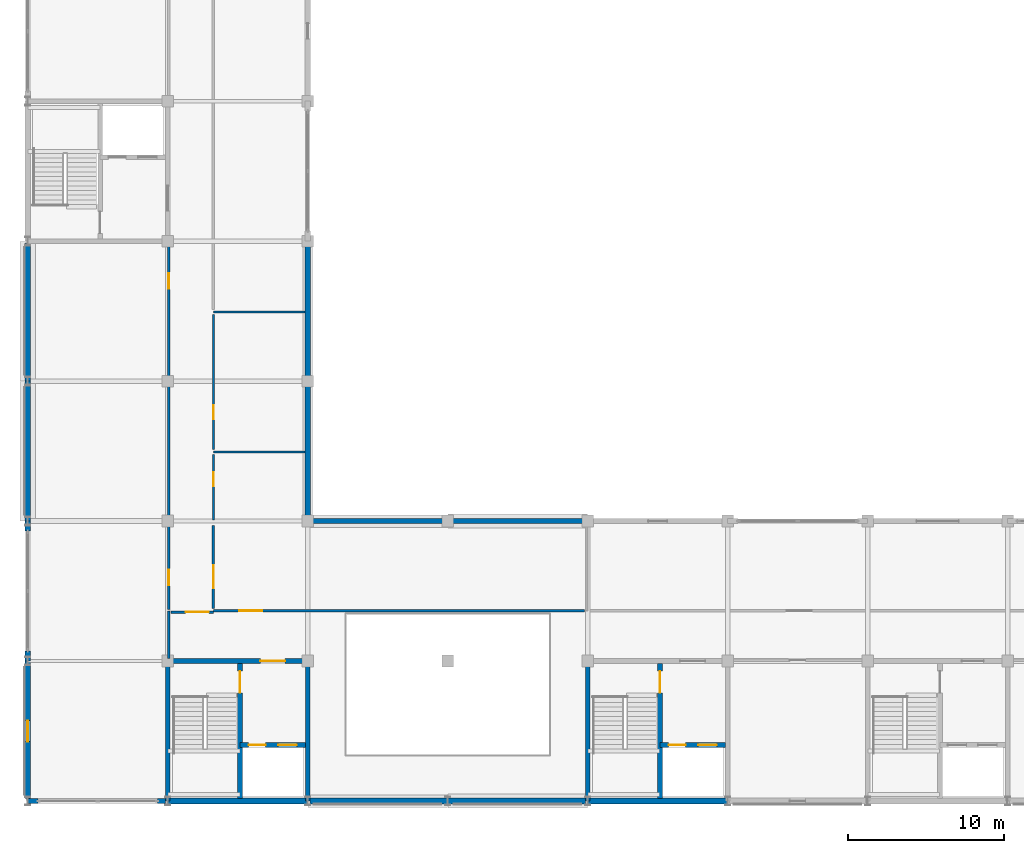
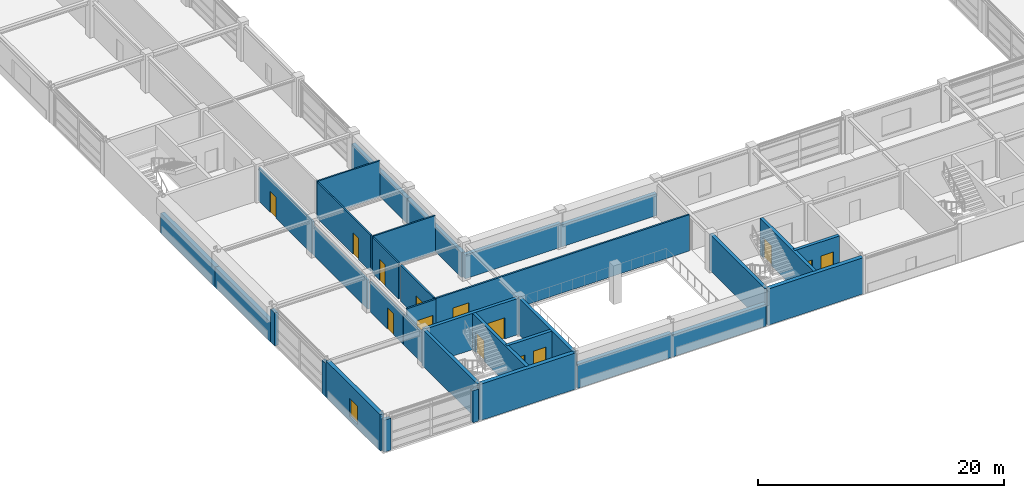
# One storey, part 62 of 79: 34 walls, 14 doors, 1 window, 15 openings.
"""IFC4 building model written with IfcOpenShell, lengths in metres."""

from ifc_helpers import new_model, si_unit, direction, frame, frame_2d, origin, place, context, subcontext, project, spatial, rectangle, extrude, material, layer, layer_set, type_object, element, fill, save


model = new_model("IFC4")

# Units and contexts
model_context = context("Model", 3, precision=1e-05, world=origin(), true_north=direction((0.0, 1.0)))
body_context = subcontext(model_context, "Body", "Model", "MODEL_VIEW")
ifc_project = project(units=[si_unit("LENGTHUNIT", "METRE"), si_unit("AREAUNIT", "SQUARE_METRE"), si_unit("VOLUMEUNIT", "CUBIC_METRE"), si_unit("PLANEANGLEUNIT", "RADIAN"), si_unit("MASSUNIT", "GRAM", prefix="KILO")], contexts=[model_context])

# Site, building, storey
site_placement = place(None, origin())
site = spatial("IfcSite", under=ifc_project, at=site_placement, CompositionType="ELEMENT")
building_placement = place(site_placement, origin())
building = spatial("IfcBuilding", under=site, at=building_placement, Name="Palais des Congres Ocreval", CompositionType="ELEMENT")
storey_placement = place(building_placement, frame((0.0, 0.0, 4.320068359375)))
storey = spatial("IfcBuildingStorey", under=building, at=storey_placement, Name="L01", CompositionType="ELEMENT", Elevation=4.320068359375)

# Walls
ifc_material_1 = material(Name="Moisture-resistant gypsum board")
ifc_layer_1 = layer(ifc_material_1, 0.139892578125)
ifc_layer_set_1 = layer_set([ifc_layer_1], Name="Bathroom Plumbing Chase Wall 140 Gypsum (Moisture-resistant gypsum board)")
wall_type_1 = type_object("IfcWallType", Name="Bathroom Plumbing Chase Wall 140 Gypsum", PredefinedType="PLUMBINGWALL", material=ifc_layer_set_1)
for number, where, z_axis, x_axis, name in (
    (1, (11.93994140625, 22.43505859375, 0.0), (0.0, 0.0, 1.0), (1.0, 0.0, 0.0), "Interior Partition PW03 L01"),
    (2, (11.93994140625, 31.43505859375, 0.0), (0.0, 0.0, 1.0), (1.0, 0.0, 0.0), "Interior Partition PW03 L01"),
):
    element("IfcWall", number, at=place(storey_placement, frame(where, z_axis=z_axis, x_axis=x_axis)), inside=storey, type_object=wall_type_1, Name=name, PredefinedType="PLUMBINGWALL", context=body_context, shape_type="SweptSolid", body=[
        extrude(rectangle(XDim=5.885009765625, YDim=0.139892578125, at=frame_2d((2.9423828125, 0.0))), origin(), (0.0, 0.0, 1.0), 3.599853515625),
    ])

# Wall, opening, door
wall_1_placement = place(storey_placement, frame((11.93505859375, 18.070068359375, 0.0), z_axis=(0.0, 0.0, 1.0), x_axis=(0.0, 1.0, 0.0)))
wall_1 = element("IfcWall", 3, at=wall_1_placement, inside=storey, type_object=wall_type_1, Name="Interior Partition PW03 L01", PredefinedType="PLUMBINGWALL", context=body_context, shape_type="SweptSolid", body=[
    extrude(rectangle(XDim=4.2099609375, YDim=0.139892578125, at=frame_2d((2.10498046875, 0.0))), origin(), (0.0, 0.0, 1.0), 3.599853515625),
])
opening_1_placement = place(wall_1_placement, frame((2.16015625, 0.0, 0.0)))
opening_1 = element("IfcOpeningElement", 4, at=opening_1_placement, cuts=wall_1, Name="Opening D09", PredefinedType="OPENING", context=body_context, shape_type="SweptSolid", body=[
    extrude(rectangle(XDim=0.89990234375, YDim=2.10009765625, at=frame_2d((0.449951171875, 1.050048828125))), frame((0.0, 0.079833984375, 0.0), z_axis=(0.0, -1.0, 0.0), x_axis=(1.0, 0.0, 0.0)), (0.0, 0.0, 1.0), 0.159912109375),
])
ifc_material_2 = material(Name="Solid French oak", Category="wood")
door_type_1 = type_object("IfcDoorType", Name="Accessible Restroom Door 900x2100", OperationType="NOTDEFINED", PredefinedType="DOOR", material=ifc_material_2)
door_1_placement = place(opening_1_placement, origin())
door_1 = element("IfcDoor", 5, at=door_1_placement, inside=storey, type_object=door_type_1, Name="Interior Door D09 L01", OperationType="SINGLE_SWING_RIGHT", OverallHeight=2.10009765625, OverallWidth=0.89990234375, PredefinedType="DOOR", context=body_context, shape_type="SweptSolid", body=[
    extrude(rectangle(XDim=0.89990234375, YDim=2.10009765625, at=frame_2d((0.449951171875, 1.050048828125))), frame((0.0, 0.02490234375, 0.0), z_axis=(0.0, -1.0, 0.0), x_axis=(1.0, 0.0, 0.0)), (0.0, 0.0, 1.0), 0.050048828125),
])
fill(opening_1, door_1)

wall_2_placement = place(storey_placement, frame((11.93505859375, 22.590087890625, 0.0), z_axis=(0.0, 0.0, 1.0), x_axis=(0.0, 1.0, 0.0)))
wall_2 = element("IfcWall", 6, at=wall_2_placement, inside=storey, type_object=wall_type_1, Name="Interior Partition PW03 L01", PredefinedType="PLUMBINGWALL", context=body_context, shape_type="SweptSolid", body=[
    extrude(rectangle(XDim=8.68994140625, YDim=0.139892578125, at=frame_2d((4.344970703125, 0.0))), origin(), (0.0, 0.0, 1.0), 3.599853515625),
])
opening_2_placement = place(wall_2_placement, frame((1.949951171875, 0.0, 0.0)))
opening_2 = element("IfcOpeningElement", 7, at=opening_2_placement, cuts=wall_2, Name="Opening D09", PredefinedType="OPENING", context=body_context, shape_type="SweptSolid", body=[
    extrude(rectangle(XDim=0.89990234375, YDim=2.10009765625, at=frame_2d((0.449951171875, 1.050048828125))), frame((0.0, 0.079833984375, 0.0), z_axis=(0.0, -1.0, 0.0), x_axis=(1.0, 0.0, 0.0)), (0.0, 0.0, 1.0), 0.159912109375),
])
door_2_placement = place(opening_2_placement, origin())
door_2 = element("IfcDoor", 8, at=door_2_placement, inside=storey, type_object=door_type_1, Name="Interior Door D09 L01", OperationType="SINGLE_SWING_LEFT", OverallHeight=2.10009765625, OverallWidth=0.89990234375, PredefinedType="DOOR", context=body_context, shape_type="SweptSolid", body=[
    extrude(rectangle(XDim=0.89990234375, YDim=2.10009765625, at=frame_2d((0.449951171875, 1.050048828125))), frame((0.0, 0.02490234375, 0.0), z_axis=(0.0, -1.0, 0.0), x_axis=(1.0, 0.0, 0.0)), (0.0, 0.0, 1.0), 0.050048828125),
])
fill(opening_2, door_2)

# Wall
ifc_material_3 = material(Name="Concrete C40/50", Category="concrete")
ifc_layer_2 = layer(ifc_material_3, 0.300048828125)
ifc_layer_set_2 = layer_set([ifc_layer_2], Name="Core Shear Wall 300 Concrete C40/50")
wall_type_2 = type_object("IfcWallType", Name="Core Shear Wall 300 Concrete C40/50", PredefinedType="SHEAR", material=ifc_layer_set_2)
wall_3_placement = place(storey_placement, frame((18.0, 0.0, 0.0), z_axis=(0.0, 0.0, 1.0), x_axis=(0.0, 1.0, 0.0)))
element("IfcWall", 9, at=wall_3_placement, inside=storey, type_object=wall_type_2, Name="Core Shear Wall SC01 L01 E", PredefinedType="SHEAR", context=body_context, shape_type="SweptSolid", body=[
    extrude(rectangle(XDim=9.0, YDim=0.300048828125, at=frame_2d((4.5, 0.0))), origin(), (0.0, 0.0, 1.0), 3.599853515625),
])

# Wall, opening, door
wall_4_placement = place(storey_placement, frame((9.0, 9.0, 0.0), z_axis=(0.0, 0.0, 1.0), x_axis=(1.0, 0.0, 0.0)))
wall_4 = element("IfcWall", 10, at=wall_4_placement, inside=storey, type_object=wall_type_2, Name="Core Shear Wall SC01 L01 N", PredefinedType="SHEAR", context=body_context, shape_type="SweptSolid", body=[
    extrude(rectangle(XDim=9.0, YDim=0.300048828125, at=frame_2d((4.5, 0.0))), origin(), (0.0, 0.0, 1.0), 3.599853515625),
])
opening_3_placement = place(wall_4_placement, frame((5.949951171875, 0.0, 0.0)))
opening_3 = element("IfcOpeningElement", 11, at=opening_3_placement, cuts=wall_4, Name="Opening D02", PredefinedType="OPENING", context=body_context, shape_type="SweptSolid", body=[
    extrude(rectangle(XDim=1.60009765625, YDim=2.10009765625, at=frame_2d((0.800048828125, 1.050048828125))), frame((0.0, 0.159912109375, 0.0), z_axis=(0.0, -1.0, 0.0), x_axis=(1.0, 0.0, 0.0)), (0.0, 0.0, 1.0), 0.320068359375),
])
ifc_material_4 = material(Name="Painted fire-rated steel", Category="steel")
door_type_2 = type_object("IfcDoorType", Name="Firefighting Lobby Rated Door 1600x2100", OperationType="NOTDEFINED", PredefinedType="DOOR", material=ifc_material_4)
door_3_placement = place(opening_3_placement, origin())
door_3 = element("IfcDoor", 12, at=door_3_placement, inside=storey, type_object=door_type_2, Name="Firefighting Lobby Entrance Door SC01 L01", OperationType="DOUBLE_DOOR_SINGLE_SWING", OverallHeight=2.10009765625, OverallWidth=1.60009765625, PredefinedType="DOOR", context=body_context, shape_type="SweptSolid", body=[
    extrude(rectangle(XDim=1.60009765625, YDim=2.10009765625, at=frame_2d((0.800048828125, 1.050048828125))), frame((0.0, 0.02490234375, 0.0), z_axis=(0.0, -1.0, 0.0), x_axis=(1.0, 0.0, 0.0)), (0.0, 0.0, 1.0), 0.050048828125),
])
fill(opening_3, door_3)

# Wall
wall_5_placement = place(storey_placement, frame((9.0, 0.0, 0.0), z_axis=(0.0, 0.0, 1.0), x_axis=(0.0, 1.0, 0.0)))
element("IfcWall", 13, at=wall_5_placement, inside=storey, type_object=wall_type_2, Name="Core Shear Wall SC01 L01 W", PredefinedType="SHEAR", context=body_context, shape_type="SweptSolid", body=[
    extrude(rectangle(XDim=9.0, YDim=0.300048828125, at=frame_2d((4.5, 0.0))), origin(), (0.0, 0.0, 1.0), 3.599853515625),
])

# Wall, opening, door
wall_6_placement = place(storey_placement, frame((13.64990234375, 0.14990234375, 0.0), z_axis=(0.0, 0.0, 1.0), x_axis=(0.0, 1.0, 0.0)))
wall_6 = element("IfcWall", 14, at=wall_6_placement, inside=storey, type_object=wall_type_2, Name="Core Spine Shear Wall SC01 L01", PredefinedType="SHEAR", context=body_context, shape_type="SweptSolid", body=[
    extrude(rectangle(XDim=8.7001953125, YDim=0.300048828125, at=frame_2d((4.35009765625, 0.0))), origin(), (0.0, 0.0, 1.0), 3.599853515625),
])
opening_4_placement = place(wall_6_placement, frame((6.800048828125, 0.0, 0.0)))
opening_4 = element("IfcOpeningElement", 15, at=opening_4_placement, cuts=wall_6, Name="Opening D03", PredefinedType="OPENING", context=body_context, shape_type="SweptSolid", body=[
    extrude(rectangle(XDim=1.39990234375, YDim=2.02001953125, at=frame_2d((0.699951171875, 1.010009765625))), frame((0.0, 0.159912109375, 0.0), z_axis=(0.0, -1.0, 0.0), x_axis=(1.0, 0.0, 0.0)), (0.0, 0.0, 1.0), 0.320068359375),
])
door_type_3 = type_object("IfcDoorType", Name="Core Lobby Rated Door 1400x2020", OperationType="NOTDEFINED", PredefinedType="DOOR", material=ifc_material_4)
door_4_placement = place(opening_4_placement, origin())
door_4 = element("IfcDoor", 16, at=door_4_placement, inside=storey, type_object=door_type_3, Name="Protected Exit Stair Door ST01 L01", OperationType="SINGLE_SWING_LEFT", OverallHeight=2.02001953125, OverallWidth=1.39990234375, PredefinedType="DOOR", context=body_context, shape_type="SweptSolid", body=[
    extrude(rectangle(XDim=1.39990234375, YDim=2.02001953125, at=frame_2d((0.699951171875, 1.010009765625))), frame((0.0, 0.02490234375, 0.0), z_axis=(0.0, -1.0, 0.0), x_axis=(1.0, 0.0, 0.0)), (0.0, 0.0, 1.0), 0.050048828125),
])
fill(opening_4, door_4)

# Wall, openings, doors
wall_7_placement = place(storey_placement, frame((13.64990234375, 3.60009765625, 0.0), z_axis=(0.0, 0.0, 1.0), x_axis=(1.0, 0.0, 0.0)))
wall_7 = element("IfcWall", 17, at=wall_7_placement, inside=storey, type_object=wall_type_2, Name="Lift Shaft Front Wall SC01 L01", PredefinedType="SHEAR", context=body_context, shape_type="SweptSolid", body=[
    extrude(rectangle(XDim=4.2001953125, YDim=0.300048828125, at=frame_2d((2.10009765625, 0.0))), origin(), (0.0, 0.0, 1.0), 3.599853515625),
])
opening_5_placement = place(wall_7_placement, frame((0.550048828125, 0.0, 0.0)))
opening_5 = element("IfcOpeningElement", 18, at=opening_5_placement, cuts=wall_7, Name="Opening LD01", PredefinedType="OPENING", context=body_context, shape_type="SweptSolid", body=[
    extrude(rectangle(XDim=1.10009765625, YDim=2.10009765625, at=frame_2d((0.550048828125, 1.050048828125))), frame((0.0, 0.159912109375, 0.0), z_axis=(0.0, -1.0, 0.0), x_axis=(1.0, 0.0, 0.0)), (0.0, 0.0, 1.0), 0.320068359375),
])
opening_6_placement = place(wall_7_placement, frame((2.449951171875, 0.0, 0.0)))
opening_6 = element("IfcOpeningElement", 19, at=opening_6_placement, cuts=wall_7, Name="Opening LD02", PredefinedType="OPENING", context=body_context, shape_type="SweptSolid", body=[
    extrude(rectangle(XDim=1.199951171875, YDim=2.199951171875, at=frame_2d((0.60009765625, 1.10009765625))), frame((0.0, 0.159912109375, 0.0), z_axis=(0.0, -1.0, 0.0), x_axis=(1.0, 0.0, 0.0)), (0.0, 0.0, 1.0), 0.320068359375),
])
ifc_material_5 = material(Name="Stainless steel", Category="steel")
door_type_4 = type_object("IfcDoorType", Name="Firefighting Lift Sliding Landing Door 1100x2100", OperationType="NOTDEFINED", PredefinedType="DOOR", material=ifc_material_5)
door_5_placement = place(opening_5_placement, origin())
door_5 = element("IfcDoor", 20, at=door_5_placement, inside=storey, type_object=door_type_4, Name="Lift Landing Sliding Door FF1 L01", OperationType="DOUBLE_DOOR_SLIDING", OverallHeight=2.10009765625, OverallWidth=1.10009765625, PredefinedType="DOOR", context=body_context, shape_type="SweptSolid", body=[
    extrude(rectangle(XDim=1.10009765625, YDim=2.10009765625, at=frame_2d((0.550048828125, 1.050048828125))), frame((0.0, 0.02490234375, 0.0), z_axis=(0.0, -1.0, 0.0), x_axis=(1.0, 0.0, 0.0)), (0.0, 0.0, 1.0), 0.050048828125),
])
fill(opening_5, door_5)
ifc_material_6 = material(Name="Anodized bronze steel", Category="steel")
door_type_5 = type_object("IfcDoorType", Name="Passenger and Service Lift Sliding Door 1200x2200", OperationType="NOTDEFINED", PredefinedType="DOOR", material=ifc_material_6)
door_6_placement = place(opening_6_placement, origin())
door_6 = element("IfcDoor", 21, at=door_6_placement, inside=storey, type_object=door_type_5, Name="Lift Landing Sliding Door PL1 L01", OperationType="DOUBLE_DOOR_SLIDING", OverallHeight=2.199951171875, OverallWidth=1.199951171875, PredefinedType="DOOR", context=body_context, shape_type="SweptSolid", body=[
    extrude(rectangle(XDim=1.199951171875, YDim=2.199951171875, at=frame_2d((0.60009765625, 1.10009765625))), frame((0.0, 0.02490234375, 0.0), z_axis=(0.0, -1.0, 0.0), x_axis=(1.0, 0.0, 0.0)), (0.0, 0.0, 1.0), 0.050048828125),
])
fill(opening_6, door_6)

# Wall
wall_8_placement = place(storey_placement, frame((36.0, 0.0, 0.0), z_axis=(0.0, 0.0, 1.0), x_axis=(0.0, 1.0, 0.0)))
element("IfcWall", 22, at=wall_8_placement, inside=storey, type_object=wall_type_2, Name="Core Shear Wall SC02 L01 W", PredefinedType="SHEAR", context=body_context, shape_type="SweptSolid", body=[
    extrude(rectangle(XDim=9.0, YDim=0.300048828125, at=frame_2d((4.5, 0.0))), origin(), (0.0, 0.0, 1.0), 3.599853515625),
])

# Wall, opening, door
wall_9_placement = place(storey_placement, frame((40.64990234375, 0.14990234375, 0.0), z_axis=(0.0, 0.0, 1.0), x_axis=(0.0, 1.0, 0.0)))
wall_9 = element("IfcWall", 23, at=wall_9_placement, inside=storey, type_object=wall_type_2, Name="Core Spine Shear Wall SC02 L01", PredefinedType="SHEAR", context=body_context, shape_type="SweptSolid", body=[
    extrude(rectangle(XDim=8.7001953125, YDim=0.300048828125, at=frame_2d((4.35009765625, 0.0))), origin(), (0.0, 0.0, 1.0), 3.599853515625),
])
opening_7_placement = place(wall_9_placement, frame((6.800048828125, 0.0, 0.0)))
opening_7 = element("IfcOpeningElement", 24, at=opening_7_placement, cuts=wall_9, Name="Opening D03", PredefinedType="OPENING", context=body_context, shape_type="SweptSolid", body=[
    extrude(rectangle(XDim=1.39990234375, YDim=2.02001953125, at=frame_2d((0.699951171875, 1.010009765625))), frame((0.0, 0.159912109375, 0.0), z_axis=(0.0, -1.0, 0.0), x_axis=(1.0, 0.0, 0.0)), (0.0, 0.0, 1.0), 0.320068359375),
])
door_7_placement = place(opening_7_placement, origin())
door_7 = element("IfcDoor", 25, at=door_7_placement, inside=storey, type_object=door_type_3, Name="Protected Exit Stair Door ST02 L01", OperationType="SINGLE_SWING_RIGHT", OverallHeight=2.02001953125, OverallWidth=1.39990234375, PredefinedType="DOOR", context=body_context, shape_type="SweptSolid", body=[
    extrude(rectangle(XDim=1.39990234375, YDim=2.02001953125, at=frame_2d((0.699951171875, 1.010009765625))), frame((0.0, 0.02490234375, 0.0), z_axis=(0.0, -1.0, 0.0), x_axis=(1.0, 0.0, 0.0)), (0.0, 0.0, 1.0), 0.050048828125),
])
fill(opening_7, door_7)

# Wall, openings, doors
wall_10_placement = place(storey_placement, frame((40.64990234375, 3.60009765625, 0.0), z_axis=(0.0, 0.0, 1.0), x_axis=(1.0, 0.0, 0.0)))
wall_10 = element("IfcWall", 26, at=wall_10_placement, inside=storey, type_object=wall_type_2, Name="Lift Shaft Front Wall SC02 L01", PredefinedType="SHEAR", context=body_context, shape_type="SweptSolid", body=[
    extrude(rectangle(XDim=4.2001953125, YDim=0.300048828125, at=frame_2d((2.10009765625, 0.0))), origin(), (0.0, 0.0, 1.0), 3.599853515625),
])
opening_8_placement = place(wall_10_placement, frame((0.550048828125, 0.0, 0.0)))
opening_8 = element("IfcOpeningElement", 27, at=opening_8_placement, cuts=wall_10, Name="Opening LD01", PredefinedType="OPENING", context=body_context, shape_type="SweptSolid", body=[
    extrude(rectangle(XDim=1.10009765625, YDim=2.10009765625, at=frame_2d((0.550048828125, 1.050048828125))), frame((0.0, 0.159912109375, 0.0), z_axis=(0.0, -1.0, 0.0), x_axis=(1.0, 0.0, 0.0)), (0.0, 0.0, 1.0), 0.320068359375),
])
opening_9_placement = place(wall_10_placement, frame((2.449951171875, 0.0, 0.0)))
opening_9 = element("IfcOpeningElement", 28, at=opening_9_placement, cuts=wall_10, Name="Opening LD02", PredefinedType="OPENING", context=body_context, shape_type="SweptSolid", body=[
    extrude(rectangle(XDim=1.199951171875, YDim=2.199951171875, at=frame_2d((0.60009765625, 1.10009765625))), frame((0.0, 0.159912109375, 0.0), z_axis=(0.0, -1.0, 0.0), x_axis=(1.0, 0.0, 0.0)), (0.0, 0.0, 1.0), 0.320068359375),
])
door_8_placement = place(opening_8_placement, origin())
door_8 = element("IfcDoor", 29, at=door_8_placement, inside=storey, type_object=door_type_4, Name="Lift Landing Sliding Door FF2 L01", OperationType="DOUBLE_DOOR_SLIDING", OverallHeight=2.10009765625, OverallWidth=1.10009765625, PredefinedType="DOOR", context=body_context, shape_type="SweptSolid", body=[
    extrude(rectangle(XDim=1.10009765625, YDim=2.10009765625, at=frame_2d((0.550048828125, 1.050048828125))), frame((0.0, 0.02490234375, 0.0), z_axis=(0.0, -1.0, 0.0), x_axis=(1.0, 0.0, 0.0)), (0.0, 0.0, 1.0), 0.050048828125),
])
fill(opening_8, door_8)
door_9_placement = place(opening_9_placement, origin())
door_9 = element("IfcDoor", 30, at=door_9_placement, inside=storey, type_object=door_type_5, Name="Lift Landing Sliding Door PL2 L01", OperationType="DOUBLE_DOOR_SLIDING", OverallHeight=2.199951171875, OverallWidth=1.199951171875, PredefinedType="DOOR", context=body_context, shape_type="SweptSolid", body=[
    extrude(rectangle(XDim=1.199951171875, YDim=2.199951171875, at=frame_2d((0.60009765625, 1.10009765625))), frame((0.0, 0.02490234375, 0.0), z_axis=(0.0, -1.0, 0.0), x_axis=(1.0, 0.0, 0.0)), (0.0, 0.0, 1.0), 0.050048828125),
])
fill(opening_9, door_9)

# Wall
ifc_material_7 = material(Name="Gypsum acoustic partition")
ifc_layer_3 = layer(ifc_material_7, 0.159912109375)
ifc_layer_set_3 = layer_set([ifc_layer_3], Name="Corridor Fire Partition 160 Gypsum (Gypsum acoustic partition)")
wall_type_3 = type_object("IfcWallType", Name="Corridor Fire Partition 160 Gypsum", PredefinedType="PARTITIONING", material=ifc_layer_set_3)
wall_11_placement = place(storey_placement, frame((9.06494140625, 9.155029296875, 0.0), z_axis=(0.0, 0.0, 1.0), x_axis=(0.0, 1.0, 0.0)))
element("IfcWall", 31, at=wall_11_placement, inside=storey, type_object=wall_type_3, Name="Interior Partition IW03 L01", PredefinedType="PARTITIONING", context=body_context, shape_type="SweptSolid", body=[
    extrude(rectangle(XDim=3.074951171875, YDim=0.159912109375, at=frame_2d((1.53759765625, 0.0))), origin(), (0.0, 0.0, 1.0), 2.989990234375),
])

# Wall, opening, door
wall_12_placement = place(storey_placement, frame((9.219970703125, 12.14990234375, 0.0), z_axis=(0.0, 0.0, 1.0), x_axis=(1.0, 0.0, 0.0)))
wall_12 = element("IfcWall", 32, at=wall_12_placement, inside=storey, type_object=wall_type_3, Name="Interior Partition IW03 L01", PredefinedType="PARTITIONING", context=body_context, shape_type="SweptSolid", body=[
    extrude(rectangle(XDim=2.7099609375, YDim=0.159912109375, at=frame_2d((1.35498046875, 0.0))), origin(), (0.0, 0.0, 1.0), 3.599853515625),
])
opening_10_placement = place(wall_12_placement, frame((0.93017578125, 0.0, 0.0)))
opening_10 = element("IfcOpeningElement", 33, at=opening_10_placement, cuts=wall_12, Name="Opening D04", PredefinedType="OPENING", context=body_context, shape_type="SweptSolid", body=[
    extrude(rectangle(XDim=1.5, YDim=2.10009765625, at=frame_2d((0.75, 1.050048828125))), frame((0.0, 0.08984375, 0.0), z_axis=(0.0, -1.0, 0.0), x_axis=(1.0, 0.0, 0.0)), (0.0, 0.0, 1.0), 0.179931640625),
])
ifc_material_8 = material(Name="Solid French oak fire door", Category="wood")
door_type_6 = type_object("IfcDoorType", Name="Corridor Compartment Double Door 1500x2100", OperationType="NOTDEFINED", PredefinedType="DOOR", material=ifc_material_8)
door_10_placement = place(opening_10_placement, origin())
door_10 = element("IfcDoor", 34, at=door_10_placement, inside=storey, type_object=door_type_6, Name="Interior Door D04 L01", OperationType="DOUBLE_DOOR_SINGLE_SWING", OverallHeight=2.10009765625, OverallWidth=1.5, PredefinedType="DOOR", context=body_context, shape_type="SweptSolid", body=[
    extrude(rectangle(XDim=1.5, YDim=2.10009765625, at=frame_2d((0.75, 1.050048828125))), frame((0.0, 0.02490234375, 0.0), z_axis=(0.0, -1.0, 0.0), x_axis=(1.0, 0.0, 0.0)), (0.0, 0.0, 1.0), 0.050048828125),
])
fill(opening_10, door_10)

wall_13_placement = place(storey_placement, frame((11.93994140625, 12.235107421875, 0.0), z_axis=(0.0, 0.0, 1.0), x_axis=(1.0, 0.0, 0.0)))
wall_13 = element("IfcWall", 35, at=wall_13_placement, inside=storey, type_object=wall_type_3, Name="Interior Partition IW03 L01", PredefinedType="PARTITIONING", context=body_context, shape_type="SweptSolid", body=[
    extrude(rectangle(XDim=23.840087890625, YDim=0.159912109375, at=frame_2d((11.919921875, 0.0))), origin(), (0.0, 0.0, 1.0), 3.599853515625),
])
opening_11_placement = place(wall_13_placement, frame((1.64990234375, 0.0, 0.0)))
opening_11 = element("IfcOpeningElement", 36, at=opening_11_placement, cuts=wall_13, Name="Opening D04", PredefinedType="OPENING", context=body_context, shape_type="SweptSolid", body=[
    extrude(rectangle(XDim=1.5, YDim=2.10009765625, at=frame_2d((0.75, 1.050048828125))), frame((0.0, 0.08984375, 0.0), z_axis=(0.0, -1.0, 0.0), x_axis=(1.0, 0.0, 0.0)), (0.0, 0.0, 1.0), 0.179931640625),
])
door_11_placement = place(opening_11_placement, origin())
door_11 = element("IfcDoor", 37, at=door_11_placement, inside=storey, type_object=door_type_6, Name="Interior Door D04 L01", OperationType="DOUBLE_DOOR_SINGLE_SWING", OverallHeight=2.10009765625, OverallWidth=1.5, PredefinedType="DOOR", context=body_context, shape_type="SweptSolid", body=[
    extrude(rectangle(XDim=1.5, YDim=2.10009765625, at=frame_2d((0.75, 1.050048828125))), frame((0.0, 0.02490234375, 0.0), z_axis=(0.0, -1.0, 0.0), x_axis=(1.0, 0.0, 0.0)), (0.0, 0.0, 1.0), 0.050048828125),
])
fill(opening_11, door_11)

wall_14_placement = place(storey_placement, frame((9.06494140625, 12.304931640625, 0.0), z_axis=(0.0, 0.0, 1.0), x_axis=(0.0, 1.0, 0.0)))
wall_14 = element("IfcWall", 38, at=wall_14_placement, inside=storey, type_object=wall_type_3, Name="Interior Partition IW03 L01", PredefinedType="PARTITIONING", context=body_context, shape_type="SweptSolid", body=[
    extrude(rectangle(XDim=5.425048828125, YDim=0.159912109375, at=frame_2d((2.71240234375, 0.0))), origin(), (0.0, 0.0, 1.0), 2.989990234375),
])
opening_12_placement = place(wall_14_placement, frame((1.5615234375, 0.0, 0.0)))
opening_12 = element("IfcOpeningElement", 39, at=opening_12_placement, cuts=wall_14, Name="Opening D10", PredefinedType="OPENING", context=body_context, shape_type="SweptSolid", body=[
    extrude(rectangle(XDim=1.0, YDim=2.10009765625, at=frame_2d((0.5, 1.050048828125))), frame((0.0, 0.08984375, 0.0), z_axis=(0.0, -1.0, 0.0), x_axis=(1.0, 0.0, 0.0)), (0.0, 0.0, 1.0), 0.179931640625),
])
ifc_material_9 = material(Name="Painted steel", Category="steel")
door_type_7 = type_object("IfcDoorType", Name="Service and Pantry Door 1000x2100", OperationType="NOTDEFINED", PredefinedType="DOOR", material=ifc_material_9)
door_12_placement = place(opening_12_placement, origin())
door_12 = element("IfcDoor", 40, at=door_12_placement, inside=storey, type_object=door_type_7, Name="Interior Door D10 L01", OperationType="SINGLE_SWING_LEFT", OverallHeight=2.10009765625, OverallWidth=1.0, PredefinedType="DOOR", context=body_context, shape_type="SweptSolid", body=[
    extrude(rectangle(XDim=1.0, YDim=2.10009765625, at=frame_2d((0.5, 1.050048828125))), frame((0.0, 0.02490234375, 0.0), z_axis=(0.0, -1.0, 0.0), x_axis=(1.0, 0.0, 0.0)), (0.0, 0.0, 1.0), 0.050048828125),
])
fill(opening_12, door_12)

wall_15_placement = place(storey_placement, frame((11.93505859375, 12.389892578125, 0.0), z_axis=(0.0, 0.0, 1.0), x_axis=(0.0, 1.0, 0.0)))
wall_15 = element("IfcWall", 41, at=wall_15_placement, inside=storey, type_object=wall_type_3, Name="Interior Partition IW03 L01", PredefinedType="PARTITIONING", context=body_context, shape_type="SweptSolid", body=[
    extrude(rectangle(XDim=5.340087890625, YDim=0.159912109375, at=frame_2d((2.669921875, 0.0))), origin(), (0.0, 0.0, 1.0), 3.599853515625),
])
opening_13_placement = place(wall_15_placement, frame((1.279296875, 0.0, 0.0)))
opening_13 = element("IfcOpeningElement", 42, at=opening_13_placement, cuts=wall_15, Name="Opening D04", PredefinedType="OPENING", context=body_context, shape_type="SweptSolid", body=[
    extrude(rectangle(XDim=1.5, YDim=2.10009765625, at=frame_2d((0.75, 1.050048828125))), frame((0.0, 0.08984375, 0.0), z_axis=(0.0, -1.0, 0.0), x_axis=(1.0, 0.0, 0.0)), (0.0, 0.0, 1.0), 0.179931640625),
])
door_13_placement = place(opening_13_placement, origin())
door_13 = element("IfcDoor", 43, at=door_13_placement, inside=storey, type_object=door_type_6, Name="Interior Door D04 L01", OperationType="DOUBLE_DOOR_SINGLE_SWING", OverallHeight=2.10009765625, OverallWidth=1.5, PredefinedType="DOOR", context=body_context, shape_type="SweptSolid", body=[
    extrude(rectangle(XDim=1.5, YDim=2.10009765625, at=frame_2d((0.75, 1.050048828125))), frame((0.0, 0.02490234375, 0.0), z_axis=(0.0, -1.0, 0.0), x_axis=(1.0, 0.0, 0.0)), (0.0, 0.0, 1.0), 0.050048828125),
])
fill(opening_13, door_13)

# Wall
wall_16_placement = place(storey_placement, frame((9.06494140625, 18.070068359375, 0.0), z_axis=(0.0, 0.0, 1.0), x_axis=(0.0, 1.0, 0.0)))
element("IfcWall", 44, at=wall_16_placement, inside=storey, type_object=wall_type_3, Name="Interior Partition IW03 L01", PredefinedType="PARTITIONING", context=body_context, shape_type="SweptSolid", body=[
    extrude(rectangle(XDim=8.949951171875, YDim=0.159912109375, at=frame_2d((4.47509765625, 0.0))), origin(), (0.0, 0.0, 1.0), 2.889892578125),
])

# Wall, opening, door
wall_17_placement = place(storey_placement, frame((9.06494140625, 27.02001953125, 0.0), z_axis=(0.0, 0.0, 1.0), x_axis=(0.0, 1.0, 0.0)))
wall_17 = element("IfcWall", 45, at=wall_17_placement, inside=storey, type_object=wall_type_3, Name="Interior Partition IW03 L01", PredefinedType="PARTITIONING", context=body_context, shape_type="SweptSolid", body=[
    extrude(rectangle(XDim=8.824951171875, YDim=0.159912109375, at=frame_2d((4.41259765625, 0.0))), origin(), (0.0, 0.0, 1.0), 3.2900390625),
])
opening_14_placement = place(wall_17_placement, frame((5.925048828125, 0.0, 0.0)))
opening_14 = element("IfcOpeningElement", 46, at=opening_14_placement, cuts=wall_17, Name="Opening D10", PredefinedType="OPENING", context=body_context, shape_type="SweptSolid", body=[
    extrude(rectangle(XDim=1.0, YDim=2.10009765625, at=frame_2d((0.5, 1.050048828125))), frame((0.0, 0.08984375, 0.0), z_axis=(0.0, -1.0, 0.0), x_axis=(1.0, 0.0, 0.0)), (0.0, 0.0, 1.0), 0.179931640625),
])
door_14_placement = place(opening_14_placement, origin())
door_14 = element("IfcDoor", 47, at=door_14_placement, inside=storey, type_object=door_type_7, Name="Interior Door D10 L01", OperationType="SINGLE_SWING_RIGHT", OverallHeight=2.10009765625, OverallWidth=1.0, PredefinedType="DOOR", context=body_context, shape_type="SweptSolid", body=[
    extrude(rectangle(XDim=1.0, YDim=2.10009765625, at=frame_2d((0.5, 1.050048828125))), frame((0.0, 0.02490234375, 0.0), z_axis=(0.0, -1.0, 0.0), x_axis=(1.0, 0.0, 0.0)), (0.0, 0.0, 1.0), 0.050048828125),
])
fill(opening_14, door_14)

# Walls
ifc_layer_4 = layer(ifc_material_3, 0.3798828125)
ifc_layer_set_4 = layer_set([ifc_layer_4], Name="Lutetian Limestone Street Wall 380 Concrete C40/50")
wall_type_4 = type_object("IfcWallType", Name="Lutetian Limestone Street Wall 380 Concrete C40/50", PredefinedType="SOLIDWALL", material=ifc_layer_set_4)
wall_18_placement = place(storey_placement, frame((45.0, 0.0, 0.0), z_axis=(0.0, 0.0, 1.0), x_axis=(-1.0, 0.0, 0.0)))
element("IfcWall", 48, at=wall_18_placement, inside=storey, type_object=wall_type_4, Name="Core Perimeter Shear Wall EW03 SC02 L01", PredefinedType="SOLIDWALL", context=body_context, shape_type="SweptSolid", body=[
    extrude(rectangle(XDim=9.0, YDim=0.3798828125, at=frame_2d((4.5, 0.0))), origin(), (0.0, 0.0, 1.0), 3.599853515625),
])
wall_19_placement = place(storey_placement, frame((35.8701171875, 0.0, 0.0), z_axis=(0.0, 0.0, 1.0), x_axis=(-1.0, 0.0, 0.0)))
element("IfcWall", 49, at=wall_19_placement, inside=storey, type_object=wall_type_4, Name="Exterior Wall EW03 L01", PredefinedType="SOLIDWALL", context=body_context, shape_type="SweptSolid", body=[
    extrude(rectangle(XDim=8.8701171875, YDim=0.3798828125, at=frame_2d((4.43505859375, 0.0))), origin(), (0.0, 0.0, 1.0), 2.179931640625),
])
wall_20_placement = place(storey_placement, frame((27.0, 0.0, 0.0), z_axis=(0.0, 0.0, 1.0), x_axis=(-1.0, 0.0, 0.0)))
element("IfcWall", 50, at=wall_20_placement, inside=storey, type_object=wall_type_4, Name="Exterior Wall EW03 L01", PredefinedType="SOLIDWALL", context=body_context, shape_type="SweptSolid", body=[
    extrude(rectangle(XDim=8.8701171875, YDim=0.3798828125, at=frame_2d((4.43505859375, 0.0))), origin(), (0.0, 0.0, 1.0), 2.3798828125),
])
wall_21_placement = place(storey_placement, frame((18.0, 0.0, 0.0), z_axis=(0.0, 0.0, 1.0), x_axis=(-1.0, 0.0, 0.0)))
element("IfcWall", 51, at=wall_21_placement, inside=storey, type_object=wall_type_4, Name="Core Perimeter Shear Wall EW03 SC01 L01", PredefinedType="SOLIDWALL", context=body_context, shape_type="SweptSolid", body=[
    extrude(rectangle(XDim=9.0, YDim=0.3798828125, at=frame_2d((4.5, 0.0))), origin(), (0.0, 0.0, 1.0), 3.599853515625),
])

# Wall, opening, window
wall_22_placement = place(storey_placement, frame((0.0, 0.155029296875, 0.0), z_axis=(0.0, 0.0, 1.0), x_axis=(0.0, 1.0, 0.0)))
wall_22 = element("IfcWall", 52, at=wall_22_placement, inside=storey, type_object=wall_type_4, Name="Exterior Wall EW03 L01", PredefinedType="SOLIDWALL", context=body_context, shape_type="SweptSolid", body=[
    extrude(rectangle(XDim=8.844970703125, YDim=0.3798828125, at=frame_2d((4.42236328125, 0.0))), origin(), (0.0, 0.0, 1.0), 3.599853515625),
])
opening_15_placement = place(wall_22_placement, frame((3.669921875, 0.0, 0.39990234375)))
opening_15 = element("IfcOpeningElement", 53, at=opening_15_placement, cuts=wall_22, Name="Opening WN15", PredefinedType="OPENING", context=body_context, shape_type="SweptSolid", body=[
    extrude(rectangle(XDim=1.35009765625, YDim=1.800048828125, at=frame_2d((0.675048828125, 0.89990234375))), frame((0.0, 0.199951171875, 0.0), z_axis=(0.0, -1.0, 0.0), x_axis=(1.0, 0.0, 0.0)), (0.0, 0.0, 1.0), 0.39990234375),
])
ifc_material_10 = material(Name="Anodized bronze aluminium and low-E glass", Category="glass")
window_type = type_object("IfcWindowType", Name="Breakout Cloister Window 1350x1800", PartitioningType="SINGLE_PANEL", PredefinedType="WINDOW", material=ifc_material_10)
window_placement = place(opening_15_placement, origin())
window = element("IfcWindow", 54, at=window_placement, inside=storey, type_object=window_type, Name="Facade Window WN15", OverallHeight=1.800048828125, OverallWidth=1.35009765625, PartitioningType="SINGLE_PANEL", PredefinedType="WINDOW", context=body_context, shape_type="SweptSolid", body=[
    extrude(rectangle(XDim=1.35009765625, YDim=1.800048828125, at=frame_2d((0.675048828125, 0.89990234375))), frame((0.0, 0.030029296875, 0.0), z_axis=(0.0, -1.0, 0.0), x_axis=(1.0, 0.0, 0.0)), (0.0, 0.0, 1.0), 0.06005859375),
])
fill(opening_15, window)

# Walls
wall_23_placement = place(storey_placement, frame((0.0, 18.0, 0.0), z_axis=(0.0, 0.0, 1.0), x_axis=(0.0, 1.0, 0.0)))
element("IfcWall", 55, at=wall_23_placement, inside=storey, type_object=wall_type_4, Name="Exterior Wall EW03 L01", PredefinedType="SOLIDWALL", context=body_context, shape_type="SweptSolid", body=[
    extrude(rectangle(XDim=9.0, YDim=0.3798828125, at=frame_2d((4.5, 0.0))), origin(), (0.0, 0.0, 1.0), 1.97998046875),
])
wall_24_placement = place(storey_placement, frame((0.0, 27.0, 0.0), z_axis=(0.0, 0.0, 1.0), x_axis=(0.0, 1.0, 0.0)))
element("IfcWall", 56, at=wall_24_placement, inside=storey, type_object=wall_type_4, Name="Exterior Wall EW03 L01", PredefinedType="SOLIDWALL", context=body_context, shape_type="SweptSolid", body=[
    extrude(rectangle(XDim=8.8701171875, YDim=0.3798828125, at=frame_2d((4.43505859375, 0.0))), origin(), (0.0, 0.0, 1.0), 1.97998046875),
])
ifc_layer_5 = layer(ifc_material_3, 0.340087890625)
ifc_layer_set_5 = layer_set([ifc_layer_5], Name="Ochre Mineral-Lime Courtyard Wall 340 Concrete C40/50")
wall_type_5 = type_object("IfcWallType", Name="Ochre Mineral-Lime Courtyard Wall 340 Concrete C40/50", PredefinedType="SOLIDWALL", material=ifc_layer_set_5)
wall_25_placement = place(storey_placement, frame((8.8701171875, 0.0, 0.0), z_axis=(0.0, 0.0, 1.0), x_axis=(-1.0, 0.0, 0.0)))
element("IfcWall", 57, at=wall_25_placement, inside=storey, type_object=wall_type_5, Name="Facade Pier EW04 L01", PredefinedType="SOLIDWALL", context=body_context, shape_type="SweptSolid", body=[
    extrude(rectangle(XDim=0.52001953125, YDim=0.340087890625, at=frame_2d((0.260009765625, 0.0))), origin(), (0.0, 0.0, 1.0), 3.179931640625),
])
wall_26_placement = place(storey_placement, frame((0.64990234375, 0.0, 0.0), z_axis=(0.0, 0.0, 1.0), x_axis=(-1.0, 0.0, 0.0)))
element("IfcWall", 58, at=wall_26_placement, inside=storey, type_object=wall_type_5, Name="Facade Pier EW04 L01", PredefinedType="SOLIDWALL", context=body_context, shape_type="SweptSolid", body=[
    extrude(rectangle(XDim=0.64990234375, YDim=0.340087890625, at=frame_2d((0.324951171875, 0.0))), origin(), (0.0, 0.0, 1.0), 3.179931640625),
])
for number, where, z_axis, x_axis, name in (
    (59, (0.0, 9.0, 0.0), (0.0, 0.0, 1.0), (0.0, 1.0, 0.0), "Facade Pier EW04 L01"),
    (60, (0.0, 17.35009765625, 0.0), (0.0, 0.0, 1.0), (0.0, 1.0, 0.0), "Facade Pier EW04 L01"),
):
    element("IfcWall", number, at=place(storey_placement, frame(where, z_axis=z_axis, x_axis=x_axis)), inside=storey, type_object=wall_type_5, Name=name, PredefinedType="SOLIDWALL", context=body_context, shape_type="SweptSolid", body=[
        extrude(rectangle(XDim=0.64990234375, YDim=0.340087890625, at=frame_2d((0.324951171875, 0.0))), origin(), (0.0, 0.0, 1.0), 3.280029296875),
    ])
wall_27_placement = place(storey_placement, frame((18.0, 36.0, 0.0), z_axis=(0.0, 0.0, 1.0), x_axis=(0.0, -1.0, 0.0)))
element("IfcWall", 61, at=wall_27_placement, inside=storey, type_object=wall_type_5, Name="Exterior Wall EW04 L01", PredefinedType="SOLIDWALL", context=body_context, shape_type="SweptSolid", body=[
    extrude(rectangle(XDim=9.0, YDim=0.340087890625, at=frame_2d((4.5, 0.0))), origin(), (0.0, 0.0, 1.0), 2.47998046875),
])
wall_28_placement = place(storey_placement, frame((18.0, 27.0, 0.0), z_axis=(0.0, 0.0, 1.0), x_axis=(0.0, -1.0, 0.0)))
element("IfcWall", 62, at=wall_28_placement, inside=storey, type_object=wall_type_5, Name="Exterior Wall EW04 L01", PredefinedType="SOLIDWALL", context=body_context, shape_type="SweptSolid", body=[
    extrude(rectangle(XDim=8.844970703125, YDim=0.340087890625, at=frame_2d((4.42236328125, 0.0))), origin(), (0.0, 0.0, 1.0), 2.47998046875),
])
wall_29_placement = place(storey_placement, frame((18.0, 18.0, 0.0), z_axis=(0.0, 0.0, 1.0), x_axis=(1.0, 0.0, 0.0)))
element("IfcWall", 63, at=wall_29_placement, inside=storey, type_object=wall_type_5, Name="Exterior Wall EW04 L01", PredefinedType="SOLIDWALL", context=body_context, shape_type="SweptSolid", body=[
    extrude(rectangle(XDim=9.0, YDim=0.340087890625, at=frame_2d((4.5, 0.0))), origin(), (0.0, 0.0, 1.0), 2.3798828125),
])
wall_30_placement = place(storey_placement, frame((27.0, 18.0, 0.0), z_axis=(0.0, 0.0, 1.0), x_axis=(1.0, 0.0, 0.0)))
element("IfcWall", 64, at=wall_30_placement, inside=storey, type_object=wall_type_5, Name="Exterior Wall EW04 L01", PredefinedType="SOLIDWALL", context=body_context, shape_type="SweptSolid", body=[
    extrude(rectangle(XDim=9.0, YDim=0.340087890625, at=frame_2d((4.5, 0.0))), origin(), (0.0, 0.0, 1.0), 2.179931640625),
])

save(model, "model.ifc")
